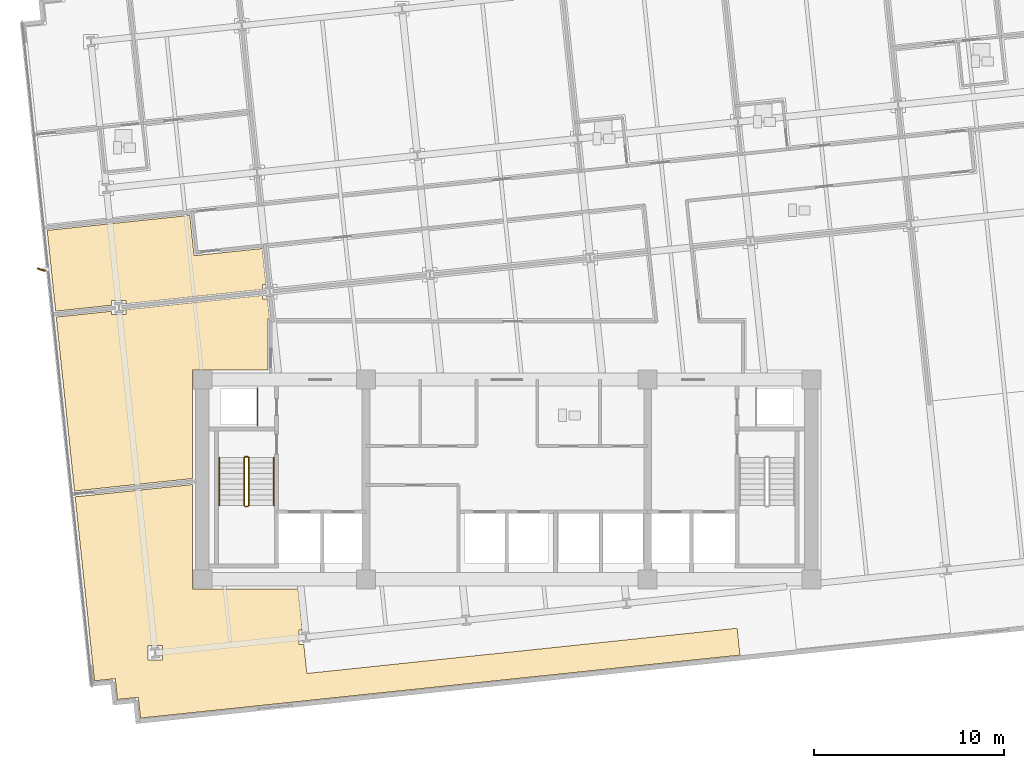
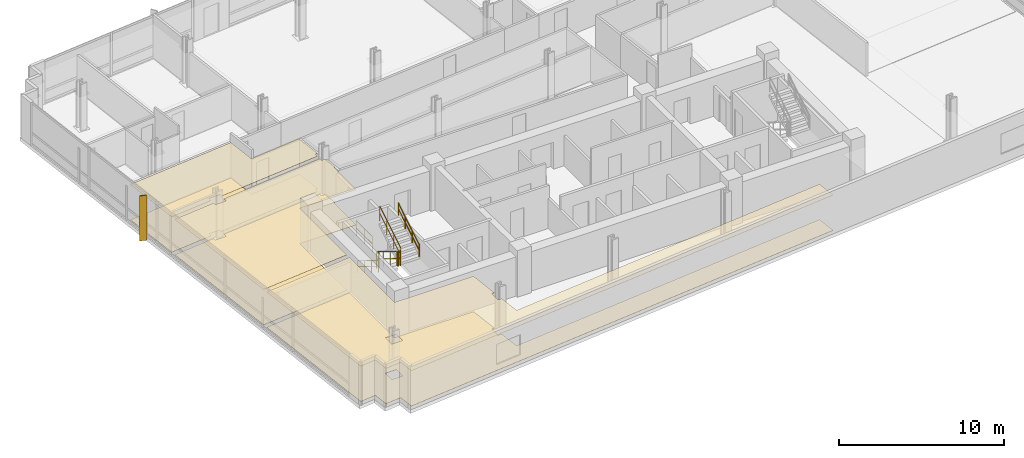
# One storey, part 14 of 18: 7 railings, 6 coverings, 1 shading device.
"""IFC4 building model written with IfcOpenShell, lengths in metres."""

from ifc_helpers import new_model, si_unit, direction, frame, origin, origin_2d, place, context, subcontext, project, spatial, polyline, rectangle, circle, outline, extrude, material, layer, layer_set, type_object, element, save


model = new_model("IFC4")

# Units and contexts
model_context = context("Model", 3, precision=1e-05, world=origin(), true_north=direction((0.0, 1.0)))
body_context = subcontext(model_context, "Body", "Model", "MODEL_VIEW")
ifc_project = project(units=[si_unit("LENGTHUNIT", "METRE"), si_unit("AREAUNIT", "SQUARE_METRE"), si_unit("VOLUMEUNIT", "CUBIC_METRE"), si_unit("PLANEANGLEUNIT", "RADIAN"), si_unit("MASSUNIT", "GRAM", prefix="KILO")], contexts=[model_context])

# Site, building, storey
site_placement = place(None, origin())
site = spatial("IfcSite", under=ifc_project, at=site_placement, CompositionType="ELEMENT")
building_placement = place(site_placement, origin())
building = spatial("IfcBuilding", under=site, at=building_placement, Name="Solmavex Isthmus Hotel", CompositionType="ELEMENT")
storey_placement = place(building_placement, frame((0.0, 0.0, 123.60009765625)))
storey = spatial("IfcBuildingStorey", under=building, at=storey_placement, Name="L33", CompositionType="ELEMENT", Elevation=123.60009765625)

# Coverings
ifc_material_1 = material(Name="Gypsum plasterboard lining", Category="gypsum")
ifc_layer_1 = layer(ifc_material_1, 0.030029296875)
ifc_layer_set_1 = layer_set([ifc_layer_1], Name="Gypsum plasterboard lining")
covering_type_1 = type_object("IfcCoveringType", Name="COV-CEIL-GYP", PredefinedType="CEILING", material=ifc_layer_set_1)
covering_1_placement = place(storey_placement, frame((0.0, 0.0, 2.619873046875)))
element("IfcCovering", 1, at=covering_1_placement, inside=storey, type_object=covering_type_1, Name="Suspended Acoustic Ceiling L33-FL07", PredefinedType="CEILING", context=body_context, shape_type="SweptSolid", body=[
    extrude(outline(polyline([(-12.8388671875, 2.234619140625), (-12.8388671875, 2.49853515625), (-12.654541015625, 2.49853515625), (-12.852783203125, 4.384765625), (-16.43310546875, 4.008544921875), (-16.65576171875, 6.126953125), (-24.15234375, 5.3388671875), (-23.7060546875, 1.09228515625), (-20.76318359375, 1.401611328125), (-20.76318359375, 1.665771484375), (-20.003173828125, 1.665771484375), (-20.003173828125, 1.4814453125), (-12.8388671875, 2.234619140625)])), origin(), (0.0, 0.0, 1.0), 0.030029296875),
])
covering_2_placement = place(storey_placement, frame((0.0, 0.0, 2.619873046875)))
element("IfcCovering", 2, at=covering_2_placement, inside=storey, type_object=covering_type_1, Name="Suspended Acoustic Ceiling L33-FL10", PredefinedType="CEILING", context=body_context, shape_type="SweptSolid", body=[
    extrude(outline(polyline([(-20.003173828125, 1.169921875), (-20.003173828125, 0.90576171875), (-20.76318359375, 0.90576171875), (-20.76318359375, 1.08984375), (-23.673583984375, 0.783935546875), (-23.130615234375, -4.382568359375), (-22.713134765625, -8.355712890625), (-16.5048828125, -7.703125), (-16.5048828125, -1.9951171875), (-12.554931640625, -1.9951171875), (-12.554931640625, 0.705078125), (-12.466064453125, 0.705078125), (-12.57470703125, 1.738525390625), (-12.8388671875, 1.738525390625), (-12.8388671875, 1.9228515625), (-20.003173828125, 1.169921875)])), origin(), (0.0, 0.0, 1.0), 0.030029296875),
])
covering_3_placement = place(storey_placement, frame((0.0, 0.0, 2.619873046875)))
element("IfcCovering", 3, at=covering_3_placement, inside=storey, type_object=covering_type_1, Name="Suspended Acoustic Ceiling L33-FL11", PredefinedType="CEILING", context=body_context, shape_type="SweptSolid", body=[
    extrude(outline(polyline([(-10.6669921875, -16.411376953125), (-10.93115234375, -16.411376953125), (-10.93115234375, -15.6513671875), (-10.746826171875, -15.6513671875), (-10.972412109375, -13.5048828125), (-16.5048828125, -13.5048828125), (-16.5048828125, -8.014892578125), (-22.6806640625, -8.663818359375), (-21.7509765625, -17.51025390625), (-21.66455078125, -18.33056640625), (-20.57080078125, -18.2158203125), (-20.50537109375, -18.837158203125), (-20.455810546875, -19.3095703125), (-19.36181640625, -19.194580078125), (-19.246826171875, -20.28857421875), (-18.42626953125, -20.202392578125), (-10.20361328125, -19.338134765625), (12.249755859375, -16.978271484375), (12.101318359375, -15.56591796875), (-10.506103515625, -17.942138671875), (-10.6669921875, -16.411376953125)]), holes=[polyline([(-18.85546875, -17.244384765625), (-18.85546875, -16.484375), (-18.095458984375, -16.484375), (-18.095458984375, -17.244384765625), (-18.85546875, -17.244384765625)])]), origin(), (0.0, 0.0, 1.0), 0.030029296875),
])
ifc_material_2 = material(Name="Travertine natural stone", Category="masonry")
ifc_layer_2 = layer(ifc_material_2, 0.02490234375)
ifc_layer_set_2 = layer_set([ifc_layer_2], Name="Travertine natural stone")
covering_type_2 = type_object("IfcCoveringType", Name="COV-FLOR-STN", PredefinedType="FLOORING", material=ifc_layer_set_2)
covering_4_placement = place(storey_placement, origin())
element("IfcCovering", 4, at=covering_4_placement, inside=storey, type_object=covering_type_2, Name="Stone and Timber Floor Finish L33-FL07", PredefinedType="FLOORING", context=body_context, shape_type="SweptSolid", body=[
    extrude(outline(polyline([(-12.8388671875, 2.234619140625), (-12.8388671875, 2.49853515625), (-12.654541015625, 2.49853515625), (-12.852783203125, 4.384765625), (-16.43310546875, 4.008544921875), (-16.65576171875, 6.126953125), (-24.15234375, 5.3388671875), (-23.7060546875, 1.09228515625), (-20.76318359375, 1.401611328125), (-20.76318359375, 1.665771484375), (-20.003173828125, 1.665771484375), (-20.003173828125, 1.4814453125), (-12.8388671875, 2.234619140625)])), origin(), (0.0, 0.0, 1.0), 0.02490234375),
])
covering_5_placement = place(storey_placement, origin())
element("IfcCovering", 5, at=covering_5_placement, inside=storey, type_object=covering_type_2, Name="Stone and Timber Floor Finish L33-FL10", PredefinedType="FLOORING", context=body_context, shape_type="SweptSolid", body=[
    extrude(outline(polyline([(-20.003173828125, 1.169921875), (-20.003173828125, 0.90576171875), (-20.76318359375, 0.90576171875), (-20.76318359375, 1.08984375), (-23.673583984375, 0.783935546875), (-23.130615234375, -4.382568359375), (-22.713134765625, -8.355712890625), (-16.5048828125, -7.703125), (-16.5048828125, -1.9951171875), (-12.554931640625, -1.9951171875), (-12.554931640625, 0.705078125), (-12.466064453125, 0.705078125), (-12.57470703125, 1.738525390625), (-12.8388671875, 1.738525390625), (-12.8388671875, 1.9228515625), (-20.003173828125, 1.169921875)])), origin(), (0.0, 0.0, 1.0), 0.02490234375),
])
covering_6_placement = place(storey_placement, origin())
element("IfcCovering", 6, at=covering_6_placement, inside=storey, type_object=covering_type_2, Name="Stone and Timber Floor Finish L33-FL11", PredefinedType="FLOORING", context=body_context, shape_type="SweptSolid", body=[
    extrude(outline(polyline([(-10.6669921875, -16.411376953125), (-10.93115234375, -16.411376953125), (-10.93115234375, -15.6513671875), (-10.746826171875, -15.6513671875), (-10.972412109375, -13.5048828125), (-16.5048828125, -13.5048828125), (-16.5048828125, -8.014892578125), (-22.6806640625, -8.663818359375), (-21.7509765625, -17.51025390625), (-21.66455078125, -18.33056640625), (-20.57080078125, -18.2158203125), (-20.50537109375, -18.837158203125), (-20.455810546875, -19.3095703125), (-19.36181640625, -19.194580078125), (-19.246826171875, -20.28857421875), (-18.42626953125, -20.202392578125), (-10.20361328125, -19.338134765625), (12.249755859375, -16.978271484375), (12.101318359375, -15.56591796875), (-10.506103515625, -17.942138671875), (-10.6669921875, -16.411376953125)]), holes=[polyline([(-18.85546875, -17.244384765625), (-18.85546875, -16.484375), (-18.095458984375, -16.484375), (-18.095458984375, -17.244384765625), (-18.85546875, -17.244384765625)])]), origin(), (0.0, 0.0, 1.0), 0.02490234375),
])

# Railings
ifc_material_3 = material(Name="Clear low-E laminated glass", Category="glass")
ifc_layer_3 = layer(ifc_material_3, 0.080078125)
ifc_layer_set_3 = layer_set([ifc_layer_3], Name="Clear low-E laminated glass")
railing_type_1 = type_object("IfcRailingType", Name="RAIL-ATRIUM-1120", PredefinedType="BALUSTRADE", material=ifc_layer_set_3)
railing_1_placement = place(storey_placement, frame((-13.10009765625, -4.89990234375, 0.0)))
element("IfcRailing", 7, at=railing_1_placement, inside=storey, type_object=railing_type_1, Name="Guardrail Balustrade L33-RSW-01", PredefinedType="BALUSTRADE", context=body_context, shape_type="SweptSolid", body=[
    extrude(circle(Radius=0.02392578125, at=origin_2d()), frame((0.0, 0.0, 1.1259765625), z_axis=(0.0, 1.0, 0.0), x_axis=(-1.0, 0.0, 0.0)), (0.0, 0.0, 1.0), 1.949951171875),
    extrude(circle(Radius=0.02392578125, at=origin_2d()), frame((0.0, 0.0, 0.574951171875), z_axis=(0.0, 1.0, 0.0), x_axis=(-1.0, 0.0, 0.0)), (0.0, 0.0, 1.0), 1.949951171875),
    extrude(circle(Radius=0.02099609375, at=origin_2d()), origin(), (0.0, 0.0, 1.0), 1.101806640625),
    extrude(circle(Radius=0.02099609375, at=origin_2d()), frame((0.0, 0.97509765625, 0.0)), (0.0, 0.0, 1.0), 1.101806640625),
    extrude(circle(Radius=0.02099609375, at=origin_2d()), frame((0.0, 1.949951171875, 0.0)), (0.0, 0.0, 1.0), 1.101806640625),
])
ifc_material_4 = material(Name="Stainless steel 316", Category="steel")
ifc_layer_4 = layer(ifc_material_4, 0.06005859375)
ifc_layer_set_4 = layer_set([ifc_layer_4], Name="Stainless steel 316")
railing_type_2 = type_object("IfcRailingType", Name="RAIL-STAIR-GD", PredefinedType="GUARDRAIL", material=ifc_layer_set_4)
railing_2_placement = place(storey_placement, frame((-13.800048828125, -6.60009765625, 0.17236328125)))
element("IfcRailing", 8, at=railing_2_placement, inside=storey, type_object=railing_type_2, Name="L33 ST-1 stair guard 1", PredefinedType="GUARDRAIL", context=body_context, shape_type="SweptSolid", body=[
    extrude(circle(Radius=0.02392578125, at=origin_2d()), frame((0.0, 0.0, 1.09619140625), z_axis=(0.0, -0.851400495292, 0.524516154772), x_axis=(1.0, 0.0, 0.0)), (0.0, 0.0, 1.0), 2.9599609375),
    extrude(circle(Radius=0.02392578125, at=origin_2d()), frame((0.0, 0.0, 0.56005859375), z_axis=(0.0, -0.851400495292, 0.524516154772), x_axis=(1.0, 0.0, 0.0)), (0.0, 0.0, 1.0), 2.9599609375),
    extrude(circle(Radius=0.02099609375, at=origin_2d()), origin(), (0.0, 0.0, 1.0), 1.072021484375),
    extrude(circle(Radius=0.02099609375, at=origin_2d()), frame((0.0, -0.840087890625, 0.517578125)), (0.0, 0.0, 1.0), 1.072021484375),
    extrude(circle(Radius=0.02099609375, at=origin_2d()), frame((0.0, -1.679931640625, 1.034912109375)), (0.0, 0.0, 1.0), 1.072021484375),
    extrude(circle(Radius=0.02099609375, at=origin_2d()), frame((0.0, -2.52001953125, 1.552490234375)), (0.0, 0.0, 1.0), 1.072021484375),
])
railing_3_placement = place(storey_placement, frame((-13.75, -9.169921875, 1.724853515625)))
element("IfcRailing", 9, at=railing_3_placement, inside=storey, type_object=railing_type_2, Name="L33 ST-1 stair guard 2", PredefinedType="GUARDRAIL", context=body_context, shape_type="SweptSolid", body=[
    extrude(circle(Radius=0.02392578125, at=origin_2d()), frame((0.0, 0.0, 1.09619140625), z_axis=(1.0, 0.0, 0.0), x_axis=(0.0, 1.0, 0.0)), (0.0, 0.0, 1.0), 0.14990234375),
    extrude(circle(Radius=0.02392578125, at=origin_2d()), frame((0.0, 0.0, 0.56005859375), z_axis=(1.0, 0.0, 0.0), x_axis=(0.0, 1.0, 0.0)), (0.0, 0.0, 1.0), 0.14990234375),
    extrude(circle(Radius=0.02099609375, at=origin_2d()), origin(), (0.0, 0.0, 1.0), 1.072021484375),
    extrude(circle(Radius=0.02099609375, at=origin_2d()), frame((0.14990234375, 0.0, 0.0)), (0.0, 0.0, 1.0), 1.072021484375),
])
railing_4_placement = place(storey_placement, frame((-13.550048828125, -9.1201171875, 1.8974609375)))
element("IfcRailing", 10, at=railing_4_placement, inside=storey, type_object=railing_type_2, Name="L33 ST-1 stair guard 3", PredefinedType="GUARDRAIL", context=body_context, shape_type="SweptSolid", body=[
    extrude(circle(Radius=0.02392578125, at=origin_2d()), frame((0.0, 0.0, 1.09619140625), z_axis=(0.0, 0.851400495292, 0.524516154772), x_axis=(-1.0, 0.0, 0.0)), (0.0, 0.0, 1.0), 2.9599609375),
    extrude(circle(Radius=0.02392578125, at=origin_2d()), frame((0.0, 0.0, 0.56005859375), z_axis=(0.0, 0.851400495292, 0.524516154772), x_axis=(-1.0, 0.0, 0.0)), (0.0, 0.0, 1.0), 2.9599609375),
    extrude(circle(Radius=0.02099609375, at=origin_2d()), origin(), (0.0, 0.0, 1.0), 1.072021484375),
    extrude(circle(Radius=0.02099609375, at=origin_2d()), frame((0.0, 0.840087890625, 0.517578125)), (0.0, 0.0, 1.0), 1.072021484375),
    extrude(circle(Radius=0.02099609375, at=origin_2d()), frame((0.0, 1.679931640625, 1.034912109375)), (0.0, 0.0, 1.0), 1.072021484375),
    extrude(circle(Radius=0.02099609375, at=origin_2d()), frame((0.0, 2.52001953125, 1.552490234375)), (0.0, 0.0, 1.0), 1.072021484375),
])
railing_5_placement = place(storey_placement, frame((-13.75, -6.550048828125, 0.0)))
element("IfcRailing", 11, at=railing_5_placement, inside=storey, type_object=railing_type_2, Name="L33 ST-1 stair guard 4", PredefinedType="GUARDRAIL", context=body_context, shape_type="SweptSolid", body=[
    extrude(circle(Radius=0.02392578125, at=origin_2d()), frame((0.0, 0.0, 1.09619140625), z_axis=(1.0, 0.0, 0.0), x_axis=(0.0, 1.0, 0.0)), (0.0, 0.0, 1.0), 0.14990234375),
    extrude(circle(Radius=0.02392578125, at=origin_2d()), frame((0.0, 0.0, 0.56005859375), z_axis=(1.0, 0.0, 0.0), x_axis=(0.0, 1.0, 0.0)), (0.0, 0.0, 1.0), 0.14990234375),
    extrude(circle(Radius=0.02099609375, at=origin_2d()), origin(), (0.0, 0.0, 1.0), 1.072021484375),
    extrude(circle(Radius=0.02099609375, at=origin_2d()), frame((0.14990234375, 0.0, 0.0)), (0.0, 0.0, 1.0), 1.072021484375),
])
ifc_layer_5 = layer(ifc_material_4, 0.050048828125)
ifc_layer_set_5 = layer_set([ifc_layer_5], Name="Stainless steel 316")
railing_type_3 = type_object("IfcRailingType", Name="RAIL-STAIR-HR", PredefinedType="HANDRAIL", material=ifc_layer_set_5)
railing_6_placement = place(storey_placement, frame((-15.10009765625, -6.60009765625, 0.17236328125)))
element("IfcRailing", 12, at=railing_6_placement, inside=storey, type_object=railing_type_3, Name="L33 ST-1 stair handrail 1", PredefinedType="HANDRAIL", context=body_context, shape_type="SweptSolid", body=[
    extrude(circle(Radius=0.02392578125, at=origin_2d()), frame((0.0, 0.0, 0.8759765625), z_axis=(0.0, -0.851400495292, 0.524516154772), x_axis=(1.0, 0.0, 0.0)), (0.0, 0.0, 1.0), 2.9599609375),
    extrude(circle(Radius=0.02392578125, at=origin_2d()), frame((0.0, 0.0, 0.449951171875), z_axis=(0.0, -0.851400495292, 0.524516154772), x_axis=(1.0, 0.0, 0.0)), (0.0, 0.0, 1.0), 2.9599609375),
    extrude(circle(Radius=0.02099609375, at=origin_2d()), origin(), (0.0, 0.0, 1.0), 0.851806640625),
    extrude(circle(Radius=0.02099609375, at=origin_2d()), frame((0.0, -0.840087890625, 0.517578125)), (0.0, 0.0, 1.0), 0.851806640625),
    extrude(circle(Radius=0.02099609375, at=origin_2d()), frame((0.0, -1.679931640625, 1.034912109375)), (0.0, 0.0, 1.0), 0.851806640625),
    extrude(circle(Radius=0.02099609375, at=origin_2d()), frame((0.0, -2.52001953125, 1.552490234375)), (0.0, 0.0, 1.0), 0.851806640625),
])
railing_7_placement = place(storey_placement, frame((-12.25, -9.1201171875, 1.8974609375)))
element("IfcRailing", 13, at=railing_7_placement, inside=storey, type_object=railing_type_3, Name="L33 ST-1 stair handrail 2", PredefinedType="HANDRAIL", context=body_context, shape_type="SweptSolid", body=[
    extrude(circle(Radius=0.02392578125, at=origin_2d()), frame((0.0, 0.0, 0.8759765625), z_axis=(0.0, 0.851400495292, 0.524516154772), x_axis=(-1.0, 0.0, 0.0)), (0.0, 0.0, 1.0), 2.9599609375),
    extrude(circle(Radius=0.02392578125, at=origin_2d()), frame((0.0, 0.0, 0.449951171875), z_axis=(0.0, 0.851400495292, 0.524516154772), x_axis=(-1.0, 0.0, 0.0)), (0.0, 0.0, 1.0), 2.9599609375),
    extrude(circle(Radius=0.02099609375, at=origin_2d()), origin(), (0.0, 0.0, 1.0), 0.851806640625),
    extrude(circle(Radius=0.02099609375, at=origin_2d()), frame((0.0, 0.840087890625, 0.517578125)), (0.0, 0.0, 1.0), 0.851806640625),
    extrude(circle(Radius=0.02099609375, at=origin_2d()), frame((0.0, 1.679931640625, 1.034912109375)), (0.0, 0.0, 1.0), 0.851806640625),
    extrude(circle(Radius=0.02099609375, at=origin_2d()), frame((0.0, 2.52001953125, 1.552490234375)), (0.0, 0.0, 1.0), 0.851806640625),
])

# Shading device
ifc_material_5 = material(Name="Aluminium alloy 6063-T6", Category="aluminium")
shading_device_type = type_object("IfcShadingDeviceType", Name="SHD-FIN-BRONZE", PredefinedType="USERDEFINED", material=ifc_material_5)
shading_device_placement = place(storey_placement, frame((-24.452880859375, 3.271240234375, -0.14013671875), z_axis=(0.0, 0.0, 1.0), x_axis=(-0.951056516295, 0.309016994375, 0.0)))
element("IfcShadingDevice", 14, at=shading_device_placement, inside=storey, type_object=shading_device_type, Name="Anodised Aluminium Solar Fin L33-W1", ObjectType="SOLAR_FIN", PredefinedType="USERDEFINED", context=body_context, shape_type="SweptSolid", body=[
    extrude(rectangle(XDim=0.449951171875, YDim=0.080078125, at=origin_2d()), origin(), (0.0, 0.0, 1.0), 3.330078125),
])

save(model, "model.ifc")
